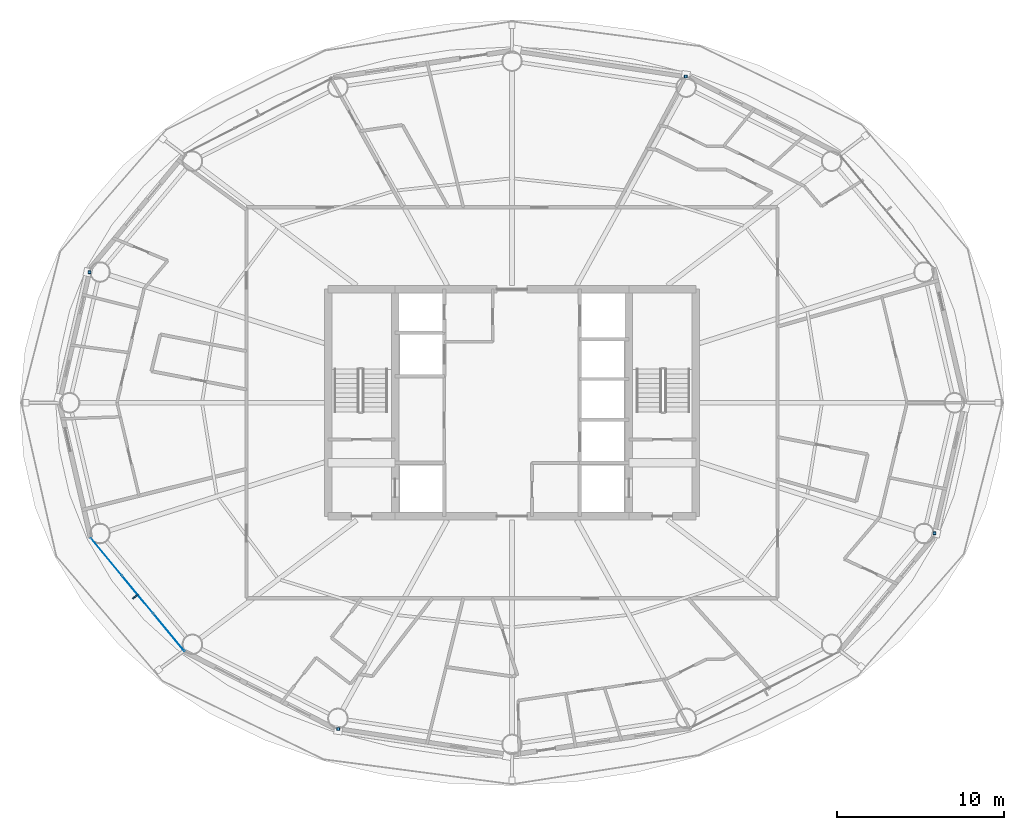
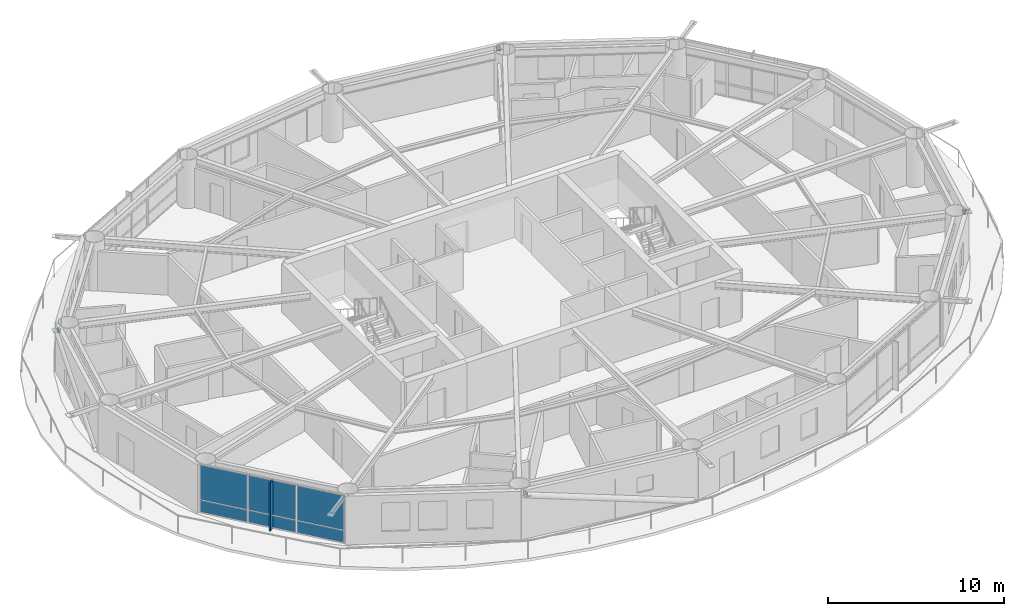
# One storey, part 16 of 27: 7 plates, 4 members, 1 element without a shape of its own.
"""IFC4 building model written with IfcOpenShell, lengths in metres."""

from ifc_helpers import new_model, si_unit, direction, frame, origin, origin_2d, place, context, subcontext, project, spatial, rectangle, hollow_rectangle, extrude, material, layer, layer_set, material_profile, profile_set, type_object, element, aggregate, save


model = new_model("IFC4")

# Units and contexts
model_context = context("Model", 3, precision=1e-05, world=origin(), true_north=direction((0.0, 1.0)))
body_context = subcontext(model_context, "Body", "Model", "MODEL_VIEW")
ifc_project = project(units=[si_unit("LENGTHUNIT", "METRE"), si_unit("AREAUNIT", "SQUARE_METRE"), si_unit("VOLUMEUNIT", "CUBIC_METRE"), si_unit("PLANEANGLEUNIT", "RADIAN"), si_unit("MASSUNIT", "GRAM", prefix="KILO")], contexts=[model_context])

# Site, building, storey
site_placement = place(None, origin())
site = spatial("IfcSite", under=ifc_project, at=site_placement, CompositionType="ELEMENT")
building_placement = place(site_placement, origin())
building = spatial("IfcBuilding", under=site, at=building_placement, Name="Sarneth Arch Tower", CompositionType="ELEMENT")
storey_placement = place(building_placement, frame((0.0, 0.0, 186.60009765625)))
storey = spatial("IfcBuildingStorey", under=building, at=storey_placement, Name="L47", CompositionType="ELEMENT", Elevation=186.60009765625)

# Members
ifc_material_1 = material(Name="Steel S355", Category="steel")
ifc_material_profile = material_profile(ifc_material_1, hollow_rectangle(XDim=0.199951171875, YDim=0.300048828125, WallThickness=0.012451171875, InnerFilletRadius=0.018798828125, OuterFilletRadius=0.03125, at=origin_2d()), Name="RHS300x200x12.5")
ifc_profile_set = profile_set([ifc_material_profile], Name="Steel S355")
member_type = type_object("IfcMemberType", Name="MEM-CANT-STRUT", PredefinedType="STRUT", material=ifc_profile_set)
member_1_placement = place(storey_placement, frame((58.40869140625, 61.43310546875, 3.050537109375), z_axis=(-0.024482455341, 0.999700259768, 0.0), x_axis=(-0.999700259768, -0.024482455341, 0.0)))
element("IfcMember", 1, at=member_1_placement, inside=storey, type_object=member_type, Name="L47 Exoskeleton brace node strut 04B", PredefinedType="STRUT", context=body_context, shape_type="SweptSolid", body=[
    extrude(hollow_rectangle(XDim=0.199951171875, YDim=0.300048828125, WallThickness=0.012451171875, InnerFilletRadius=0.018798828125, OuterFilletRadius=0.03125, at=origin_2d()), origin(), (0.0, 0.0, 1.0), 0.179443359375),
])
member_2_placement = place(storey_placement, frame((22.7978515625, 49.81640625, 3.050537109375), z_axis=(-0.999835179989, -0.018155243216, 0.0), x_axis=(0.018155243216, -0.999835179989, 0.0)))
element("IfcMember", 2, at=member_2_placement, inside=storey, type_object=member_type, Name="L47 Exoskeleton brace node strut 08B", PredefinedType="STRUT", context=body_context, shape_type="SweptSolid", body=[
    extrude(hollow_rectangle(XDim=0.199951171875, YDim=0.300048828125, WallThickness=0.012451171875, InnerFilletRadius=0.018798828125, OuterFilletRadius=0.03125, at=origin_2d()), origin(), (0.0, 0.0, 1.0), 0.188232421875),
])
member_3_placement = place(storey_placement, frame((37.59130859375, 22.56689453125, 3.050537109375), z_axis=(0.024482455341, -0.999700259768, 0.0), x_axis=(0.999700259768, 0.024482455341, 0.0)))
element("IfcMember", 3, at=member_3_placement, inside=storey, type_object=member_type, Name="L47 Exoskeleton brace node strut 12B", PredefinedType="STRUT", context=body_context, shape_type="SweptSolid", body=[
    extrude(hollow_rectangle(XDim=0.199951171875, YDim=0.300048828125, WallThickness=0.012451171875, InnerFilletRadius=0.018798828125, OuterFilletRadius=0.03125, at=origin_2d()), origin(), (0.0, 0.0, 1.0), 0.179443359375),
])
member_4_placement = place(storey_placement, frame((73.2021484375, 34.18359375, 3.050537109375), z_axis=(0.999835179989, 0.018155243216, 0.0), x_axis=(-0.018155243216, 0.999835179989, 0.0)))
element("IfcMember", 4, at=member_4_placement, inside=storey, type_object=member_type, Name="L47 Exoskeleton brace node strut 16B", PredefinedType="STRUT", context=body_context, shape_type="SweptSolid", body=[
    extrude(hollow_rectangle(XDim=0.199951171875, YDim=0.300048828125, WallThickness=0.012451171875, InnerFilletRadius=0.018798828125, OuterFilletRadius=0.03125, at=origin_2d()), origin(), (0.0, 0.0, 1.0), 0.188232421875),
])

# Curtain wall, plates
ifc_material_2 = material(Name="Anodised aluminium Type AA25 and solar-control low-e laminated IGU", Category="aluminium")
ifc_layer_1 = layer(ifc_material_2, 0.169921875)
ifc_layer_set_1 = layer_set([ifc_layer_1], Name="Anodised aluminium Type AA25 and solar-control low-e laminated IGU")
curtain_wall_type = type_object("IfcCurtainWallType", Name="CW-RES-MID", PredefinedType="NOTDEFINED", material=ifc_layer_set_1)
curtain_wall_placement = place(storey_placement, origin())
curtain_wall = element("IfcCurtainWall", 5, at=curtain_wall_placement, inside=storey, type_object=curtain_wall_type, Name="L47 Unitised curtain wall facet 10", PredefinedType="NOTDEFINED")
ifc_material_3 = material(Name="Solar-control low-e laminated IGU", Category="glass")
ifc_layer_2 = layer(ifc_material_3, 0.028076171875)
ifc_layer_set_2 = layer_set([ifc_layer_2], Name="Solar-control low-e laminated IGU")
plate_type_1 = type_object("IfcPlateType", Name="CW-PANEL", PredefinedType="CURTAIN_PANEL", material=ifc_layer_set_2)
plate_1_placement = place(storey_placement, frame((23.719970703125, 32.78173828125, 0.059814453125), z_axis=(0.0, 0.0, 1.0), x_axis=(0.637330298558, -0.770590741276, 0.0)))
plate_1 = element("IfcPlate", 6, at=plate_1_placement, type_object=plate_type_1, Name="Curtain wall glazed vision pane CW-L47-F10/P00-00", PredefinedType="CURTAIN_PANEL", context=body_context, shape_type="SweptSolid", body=[
    extrude(rectangle(XDim=2.8681640625, YDim=0.028076171875, at=origin_2d()), origin(), (0.0, 0.0, 1.0), 0.81005859375),
])
plate_2_placement = place(storey_placement, frame((23.719970703125, 32.78173828125, 0.93017578125), z_axis=(0.0, 0.0, 1.0), x_axis=(0.637330298558, -0.770590741276, 0.0)))
plate_2 = element("IfcPlate", 7, at=plate_2_placement, type_object=plate_type_1, Name="Curtain wall glazed vision pane CW-L47-F10/P00-01", PredefinedType="CURTAIN_PANEL", context=body_context, shape_type="SweptSolid", body=[
    extrude(rectangle(XDim=2.8681640625, YDim=0.028076171875, at=origin_2d()), origin(), (0.0, 0.0, 1.0), 2.389892578125),
])
plate_3_placement = place(storey_placement, frame((25.595703125, 30.513671875, 0.059814453125), z_axis=(0.0, 0.0, 1.0), x_axis=(0.637330298558, -0.770590741276, 0.0)))
plate_3 = element("IfcPlate", 8, at=plate_3_placement, type_object=plate_type_1, Name="Curtain wall glazed vision pane CW-L47-F10/P01-00", PredefinedType="CURTAIN_PANEL", context=body_context, shape_type="SweptSolid", body=[
    extrude(rectangle(XDim=2.898193359375, YDim=0.028076171875, at=origin_2d()), origin(), (0.0, 0.0, 1.0), 0.81005859375),
])
plate_4_placement = place(storey_placement, frame((25.595703125, 30.513671875, 0.93017578125), z_axis=(0.0, 0.0, 1.0), x_axis=(0.637330298558, -0.770590741276, 0.0)))
plate_4 = element("IfcPlate", 9, at=plate_4_placement, type_object=plate_type_1, Name="Curtain wall glazed vision pane CW-L47-F10/P01-01", PredefinedType="CURTAIN_PANEL", context=body_context, shape_type="SweptSolid", body=[
    extrude(rectangle(XDim=2.898193359375, YDim=0.028076171875, at=origin_2d()), origin(), (0.0, 0.0, 1.0), 2.389892578125),
])
plate_5_placement = place(storey_placement, frame((27.4716796875, 28.24560546875, 0.059814453125), z_axis=(0.0, 0.0, 1.0), x_axis=(0.637330298558, -0.770590741276, 0.0)))
plate_5 = element("IfcPlate", 10, at=plate_5_placement, type_object=plate_type_1, Name="Curtain wall glazed vision pane CW-L47-F10/P02-00", PredefinedType="CURTAIN_PANEL", context=body_context, shape_type="SweptSolid", body=[
    extrude(rectangle(XDim=2.8681640625, YDim=0.028076171875, at=origin_2d()), origin(), (0.0, 0.0, 1.0), 0.81005859375),
])
plate_6_placement = place(storey_placement, frame((27.4716796875, 28.24560546875, 0.93017578125), z_axis=(0.0, 0.0, 1.0), x_axis=(0.637330298558, -0.770590741276, 0.0)))
plate_6 = element("IfcPlate", 11, at=plate_6_placement, type_object=plate_type_1, Name="Curtain wall glazed vision pane CW-L47-F10/P02-01", PredefinedType="CURTAIN_PANEL", context=body_context, shape_type="SweptSolid", body=[
    extrude(rectangle(XDim=2.8681640625, YDim=0.028076171875, at=origin_2d()), origin(), (0.0, 0.0, 1.0), 2.389892578125),
])
aggregate(curtain_wall, [plate_1, plate_2, plate_3, plate_4, plate_5, plate_6])

# Plate
ifc_material_4 = material(Name="Extruded glazed terracotta baguette fin on Aluminium 6063-T6 carrier", Category="masonry")
ifc_layer_3 = layer(ifc_material_4, 0.080078125)
ifc_layer_set_3 = layer_set([ifc_layer_3], Name="Extruded glazed terracotta baguette fin on Aluminium 6063-T6 carrier")
plate_type_2 = type_object("IfcPlateType", Name="SHADE-TERRA-FIN", PredefinedType="SHEET", material=ifc_layer_set_3)
plate_7_placement = place(storey_placement, frame((25.46484375, 30.4052734375, 0.009765625), z_axis=(0.0, 0.0, 1.0), x_axis=(-0.770624482513, -0.637289500111, 0.0)))
element("IfcPlate", 12, at=plate_7_placement, inside=storey, type_object=plate_type_2, Name="L47 Terracotta vertical shading fin 10", PredefinedType="SHEET", context=body_context, shape_type="SweptSolid", body=[
    extrude(rectangle(XDim=0.419921875, YDim=0.080078125, at=origin_2d()), origin(), (0.0, 0.0, 1.0), 3.360107421875),
])

save(model, "model.ifc")
